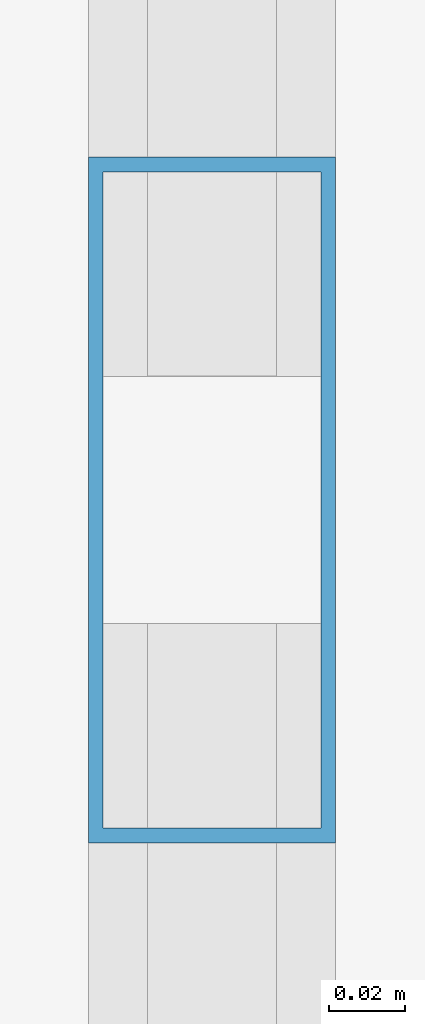
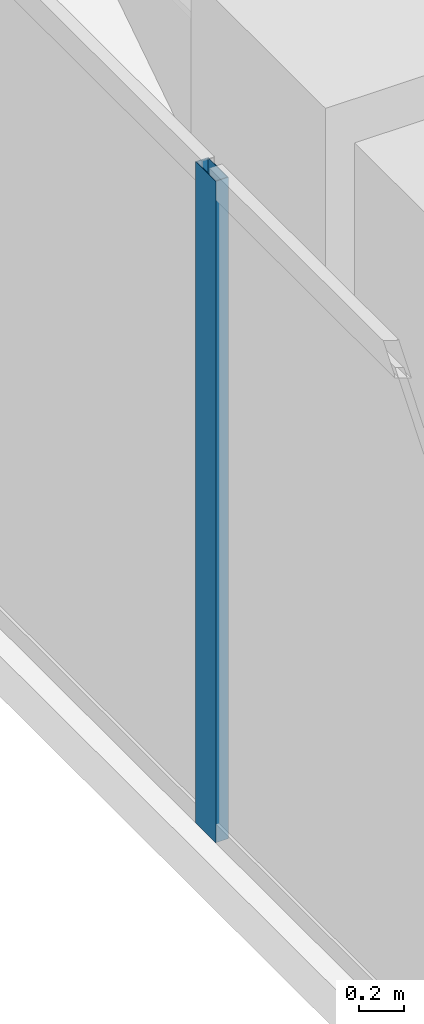
# One storey, part 13 of 30: 1 member, 1 element without a shape of its own.
"""IFC4 building model written with IfcOpenShell, lengths in metres."""

from ifc_helpers import new_model, si_unit, direction, frame, origin, origin_2d, place, context, subcontext, project, spatial, hollow_rectangle, extrude, material, layer, layer_set, material_profile, profile_set, type_object, element, aggregate, save


model = new_model("IFC4")

# Units and contexts
model_context = context("Model", 3, precision=1e-05, world=origin(), true_north=direction((0.0, 1.0)))
body_context = subcontext(model_context, "Body", "Model", "MODEL_VIEW")
ifc_project = project(units=[si_unit("LENGTHUNIT", "METRE"), si_unit("AREAUNIT", "SQUARE_METRE"), si_unit("VOLUMEUNIT", "CUBIC_METRE"), si_unit("PLANEANGLEUNIT", "RADIAN"), si_unit("MASSUNIT", "GRAM", prefix="KILO")], contexts=[model_context])

# Site, building, storey
site_placement = place(None, origin())
site = spatial("IfcSite", under=ifc_project, at=site_placement, CompositionType="ELEMENT")
building_placement = place(site_placement, origin())
building = spatial("IfcBuilding", under=site, at=building_placement, Name="Kiyonajd Concourse Tower", CompositionType="ELEMENT")
storey_placement = place(building_placement, frame((0.0, 0.0, 205.800048828125)))
storey = spatial("IfcBuildingStorey", under=building, at=storey_placement, Name="L52", CompositionType="ELEMENT", Elevation=205.800048828125)

# Curtain wall, member
ifc_material = material(Name="Thermally Broken Anodised Aluminium", Category="aluminium")
ifc_layer = layer(ifc_material, 0.179931640625)
ifc_layer_set = layer_set([ifc_layer], Name="Thermally Broken Anodised Aluminium")
curtain_wall_type = type_object("IfcCurtainWallType", Name="CW-SYS-03", PredefinedType="NOTDEFINED", material=ifc_layer_set)
curtain_wall_placement = place(storey_placement, origin())
curtain_wall = element("IfcCurtainWall", 1, at=curtain_wall_placement, inside=storey, type_object=curtain_wall_type, Name="L52 Unitised Curtain Wall CW3", PredefinedType="NOTDEFINED")
ifc_material_profile = material_profile(ifc_material, hollow_rectangle(XDim=0.06494140625, YDim=0.179931640625, WallThickness=0.00390625, at=origin_2d()), Name="MULL-65x180")
ifc_profile_set = profile_set([ifc_material_profile], Name="Thermally Broken Anodised Aluminium")
member_type = type_object("IfcMemberType", Name="MB-CW-MULL1", PredefinedType="MULLION", material=ifc_profile_set)
member_placement = place(storey_placement, frame((18.139892578125, 53.0146484375, 0.0), z_axis=(0.0, 0.0, 1.0), x_axis=(-1.0, 0.0, 0.0)))
member = element("IfcMember", 2, at=member_placement, type_object=member_type, Name="CW3 mullion 6", PredefinedType="MULLION", context=body_context, shape_type="SweptSolid", body=[
    extrude(hollow_rectangle(XDim=0.06494140625, YDim=0.179931640625, WallThickness=0.00390625, at=origin_2d()), origin(), (0.0, 0.0, 1.0), 3.599853515625),
])
aggregate(curtain_wall, [member])

save(model, "model.ifc")
